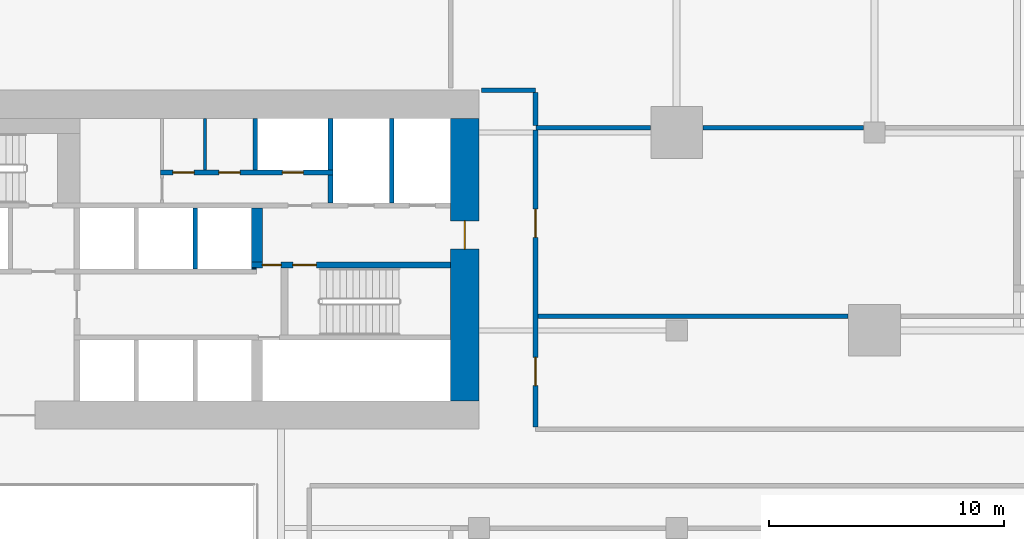
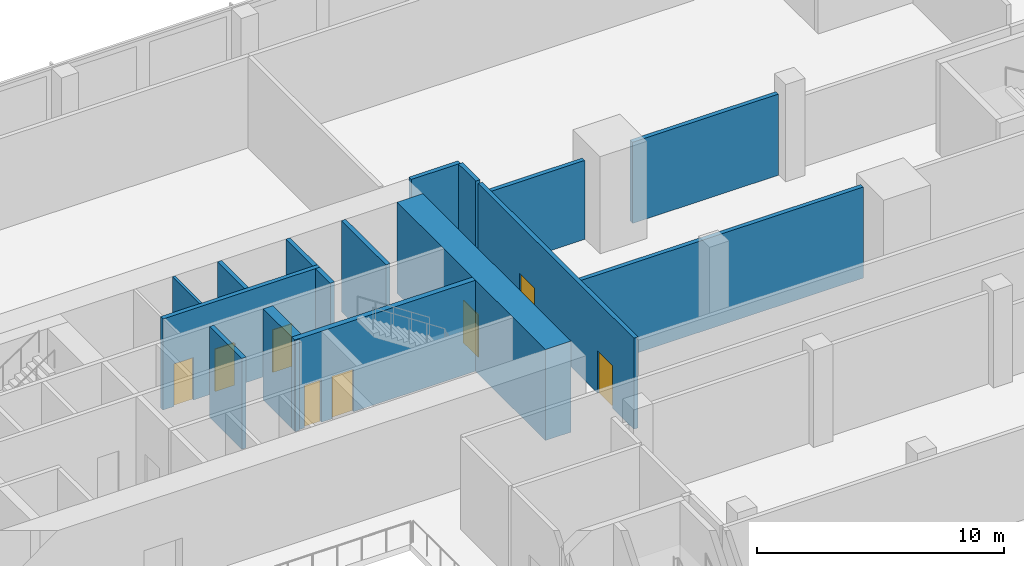
# One storey, part 31 of 39: 17 walls, 8 doors, 8 openings.
"""IFC4 building model written with IfcOpenShell, lengths in metres."""

from ifc_helpers import new_model, si_unit, direction, frame, frame_2d, origin, place, context, subcontext, project, spatial, rectangle, extrude, material, layer, layer_set, type_object, element, fill, save


model = new_model("IFC4")

# Units and contexts
model_context = context("Model", 3, precision=1e-05, world=origin(), true_north=direction((0.0, 1.0)))
body_context = subcontext(model_context, "Body", "Model", "MODEL_VIEW")
ifc_project = project(units=[si_unit("LENGTHUNIT", "METRE"), si_unit("AREAUNIT", "SQUARE_METRE"), si_unit("VOLUMEUNIT", "CUBIC_METRE"), si_unit("PLANEANGLEUNIT", "RADIAN"), si_unit("MASSUNIT", "GRAM", prefix="KILO")], contexts=[model_context])

# Site, building, storey
site_placement = place(None, origin())
site = spatial("IfcSite", under=ifc_project, at=site_placement, CompositionType="ELEMENT")
building_placement = place(site_placement, origin())
building = spatial("IfcBuilding", under=site, at=building_placement, Name="Saffron Gate Tower", CompositionType="ELEMENT")
storey_placement = place(building_placement, frame((0.0, 0.0, 14.39990234375)))
storey = spatial("IfcBuildingStorey", under=building, at=storey_placement, Name="L02", CompositionType="ELEMENT", Elevation=14.39990234375)

# Wall, opening, door
ifc_material_1 = material(Name="Concrete C70", Category="concrete")
ifc_layer_1 = layer(ifc_material_1, 1.199951171875)
ifc_layer_set_1 = layer_set([ifc_layer_1], Name="CW1 RC core wall 1200 C70")
wall_type_1 = type_object("IfcWallType", Name="CW1 RC core wall 1200 C70", PredefinedType="SOLIDWALL", material=ifc_layer_set_1)
wall_1_placement = place(storey_placement, frame((108.0, 62.39990234375, 0.0), z_axis=(0.0, 0.0, 1.0), x_axis=(0.0, 1.0, 0.0)))
wall_1 = element("IfcWall", 1, at=wall_1_placement, inside=storey, type_object=wall_type_1, Name="Wall CW1-L02-4", PredefinedType="SOLIDWALL", context=body_context, shape_type="SweptSolid", body=[
    extrude(rectangle(XDim=12.0, YDim=1.199951171875, at=frame_2d((6.0, 0.0))), origin(), (0.0, 0.0, 1.0), 4.5),
])
opening_1_placement = place(wall_1_placement, frame((6.449951171875, 0.0, 0.0)))
opening_1 = element("IfcOpeningElement", 2, at=opening_1_placement, cuts=wall_1, Name="Opening CR-08", PredefinedType="OPENING", context=body_context, shape_type="SweptSolid", body=[
    extrude(rectangle(XDim=1.199951171875, YDim=2.10009765625, at=frame_2d((0.60009765625, 1.050048828125))), frame((0.0, 0.60986328125, 0.0), z_axis=(0.0, -1.0, 0.0), x_axis=(1.0, 0.0, 0.0)), (0.0, 0.0, 1.0), 1.219970703125),
])
ifc_material_2 = material(Name="Steel fire door set", Category="steel")
door_type_1 = type_object("IfcDoorType", Name="CD7 Core entrance door 1200x2100 EI 120", OperationType="NOTDEFINED", PredefinedType="DOOR", material=ifc_material_2)
door_1_placement = place(opening_1_placement, origin())
door_1 = element("IfcDoor", 3, at=door_1_placement, inside=storey, type_object=door_type_1, Name="DOOR CR-08", OperationType="SINGLE_SWING_RIGHT", OverallHeight=2.10009765625, OverallWidth=1.199951171875, PredefinedType="DOOR", context=body_context, shape_type="SweptSolid", body=[
    extrude(rectangle(XDim=1.199951171875, YDim=2.10009765625, at=frame_2d((0.60009765625, 1.050048828125))), frame((0.0, 0.02490234375, 0.0), z_axis=(0.0, -1.0, 0.0), x_axis=(1.0, 0.0, 0.0)), (0.0, 0.0, 1.0), 0.050048828125),
])
fill(opening_1, door_1)

# Wall, openings, doors
ifc_layer_2 = layer(ifc_material_1, 0.25)
ifc_layer_set_2 = layer_set([ifc_layer_2], Name="CW2 RC core wall 250 C70")
wall_type_2 = type_object("IfcWallType", Name="CW2 RC core wall 250 C70", PredefinedType="SOLIDWALL", material=ifc_layer_set_2)
wall_2_placement = place(storey_placement, frame((98.949951171875, 68.175048828125, 0.0), z_axis=(0.0, 0.0, 1.0), x_axis=(1.0, 0.0, 0.0)))
wall_2 = element("IfcWall", 4, at=wall_2_placement, inside=storey, type_object=wall_type_2, Name="Wall CW2-L02-31", PredefinedType="SOLIDWALL", context=body_context, shape_type="SweptSolid", body=[
    extrude(rectangle(XDim=8.449951171875, YDim=0.25, at=frame_2d((4.22509765625, 0.0))), origin(), (0.0, 0.0, 1.0), 4.5),
])
opening_2_placement = place(wall_2_placement, frame((0.449951171875, 0.0, 0.0)))
opening_2 = element("IfcOpeningElement", 5, at=opening_2_placement, cuts=wall_2, Name="Opening CR-05", PredefinedType="OPENING", context=body_context, shape_type="SweptSolid", body=[
    extrude(rectangle(XDim=0.800048828125, YDim=2.10009765625, at=frame_2d((0.39990234375, 1.050048828125))), frame((0.0, 0.135009765625, 0.0), z_axis=(0.0, -1.0, 0.0), x_axis=(1.0, 0.0, 0.0)), (0.0, 0.0, 1.0), 0.27001953125),
])
opening_3_placement = place(wall_2_placement, frame((1.75, 0.0, 0.0)))
opening_3 = element("IfcOpeningElement", 6, at=opening_3_placement, cuts=wall_2, Name="Opening CR-16", PredefinedType="OPENING", context=body_context, shape_type="SweptSolid", body=[
    extrude(rectangle(XDim=1.0, YDim=2.10009765625, at=frame_2d((0.5, 1.050048828125))), frame((0.0, 0.135009765625, 0.0), z_axis=(0.0, -1.0, 0.0), x_axis=(1.0, 0.0, 0.0)), (0.0, 0.0, 1.0), 0.27001953125),
])
door_type_2 = type_object("IfcDoorType", Name="CD5 Stair door 1000x2100 EI 120", OperationType="NOTDEFINED", PredefinedType="DOOR", material=ifc_material_2)
door_2_placement = place(opening_3_placement, origin())
door_2 = element("IfcDoor", 7, at=door_2_placement, inside=storey, type_object=door_type_2, Name="DOOR CR-16", OperationType="SINGLE_SWING_RIGHT", OverallHeight=2.10009765625, OverallWidth=1.0, PredefinedType="DOOR", context=body_context, shape_type="SweptSolid", body=[
    extrude(rectangle(XDim=1.0, YDim=2.10009765625, at=frame_2d((0.5, 1.050048828125))), frame((0.0, 0.02490234375, 0.0), z_axis=(0.0, -1.0, 0.0), x_axis=(1.0, 0.0, 0.0)), (0.0, 0.0, 1.0), 0.050048828125),
])
fill(opening_3, door_2)
door_type_3 = type_object("IfcDoorType", Name="CD6 Lobby door 800x2100 EI 120", OperationType="NOTDEFINED", PredefinedType="DOOR", material=ifc_material_2)
door_3_placement = place(opening_2_placement, origin())
door_3 = element("IfcDoor", 8, at=door_3_placement, inside=storey, type_object=door_type_3, Name="DOOR CR-05", OperationType="SINGLE_SWING_LEFT", OverallHeight=2.10009765625, OverallWidth=0.800048828125, PredefinedType="DOOR", context=body_context, shape_type="SweptSolid", body=[
    extrude(rectangle(XDim=0.800048828125, YDim=2.10009765625, at=frame_2d((0.39990234375, 1.050048828125))), frame((0.0, 0.02490234375, 0.0), z_axis=(0.0, -1.0, 0.0), x_axis=(1.0, 0.0, 0.0)), (0.0, 0.0, 1.0), 0.050048828125),
])
fill(opening_2, door_3)

# Walls
ifc_layer_3 = layer(ifc_material_1, 0.199951171875)
ifc_layer_set_3 = layer_set([ifc_layer_3], Name="CW3 RC core wall 200 C70")
wall_type_3 = type_object("IfcWallType", Name="CW3 RC core wall 200 C70", PredefinedType="SOLIDWALL", material=ifc_layer_set_3)
wall_3_placement = place(storey_placement, frame((96.550048828125, 68.0, 0.0), z_axis=(0.0, 0.0, 1.0), x_axis=(0.0, 1.0, 0.0)))
element("IfcWall", 9, at=wall_3_placement, inside=storey, type_object=wall_type_3, Name="Wall CW3-L02-28", PredefinedType="SOLIDWALL", context=body_context, shape_type="SweptSolid", body=[
    extrude(rectangle(XDim=2.60009765625, YDim=0.199951171875, at=frame_2d((1.300048828125, 0.0))), origin(), (0.0, 0.0, 1.0), 4.5),
])
wall_4_placement = place(storey_placement, frame((102.300048828125, 70.800048828125, 0.0), z_axis=(0.0, 0.0, 1.0), x_axis=(0.0, 1.0, 0.0)))
element("IfcWall", 10, at=wall_4_placement, inside=storey, type_object=wall_type_3, Name="Wall CW3-L02-41", PredefinedType="SOLIDWALL", context=body_context, shape_type="SweptSolid", body=[
    extrude(rectangle(XDim=1.199951171875, YDim=0.199951171875, at=frame_2d((0.60009765625, 0.0))), origin(), (0.0, 0.0, 1.0), 4.5),
])
wall_5_placement = place(storey_placement, frame((104.89990234375, 70.800048828125, 0.0), z_axis=(0.0, 0.0, 1.0), x_axis=(0.0, 1.0, 0.0)))
element("IfcWall", 11, at=wall_5_placement, inside=storey, type_object=wall_type_3, Name="Wall CW3-L02-42", PredefinedType="SOLIDWALL", context=body_context, shape_type="SweptSolid", body=[
    extrude(rectangle(XDim=3.599853515625, YDim=0.199951171875, at=frame_2d((1.7998046875, 0.0))), origin(), (0.0, 0.0, 1.0), 4.5),
])

# Wall, openings, doors
wall_6_placement = place(storey_placement, frame((95.080078125, 72.10009765625, 0.0), z_axis=(0.0, 0.0, 1.0), x_axis=(1.0, 0.0, 0.0)))
wall_6 = element("IfcWall", 12, at=wall_6_placement, inside=storey, type_object=wall_type_3, Name="Wall CW3-L02-44", PredefinedType="SOLIDWALL", context=body_context, shape_type="SweptSolid", body=[
    extrude(rectangle(XDim=7.31982421875, YDim=0.199951171875, at=frame_2d((3.659912109375, 0.0))), origin(), (0.0, 0.0, 1.0), 4.5),
])
opening_4_placement = place(wall_6_placement, frame((0.52001953125, 0.0, 0.0)))
opening_4 = element("IfcOpeningElement", 13, at=opening_4_placement, cuts=wall_6, Name="Opening CR-50", PredefinedType="OPENING", context=body_context, shape_type="SweptSolid", body=[
    extrude(rectangle(XDim=0.89990234375, YDim=2.10009765625, at=frame_2d((0.449951171875, 1.050048828125))), frame((0.0, 0.10986328125, 0.0), z_axis=(0.0, -1.0, 0.0), x_axis=(1.0, 0.0, 0.0)), (0.0, 0.0, 1.0), 0.219970703125),
])
opening_5_placement = place(wall_6_placement, frame((2.47998046875, 0.0, 0.0)))
opening_5 = element("IfcOpeningElement", 14, at=opening_5_placement, cuts=wall_6, Name="Opening CR-53", PredefinedType="OPENING", context=body_context, shape_type="SweptSolid", body=[
    extrude(rectangle(XDim=0.89990234375, YDim=2.10009765625, at=frame_2d((0.449951171875, 1.050048828125))), frame((0.0, 0.10986328125, 0.0), z_axis=(0.0, -1.0, 0.0), x_axis=(1.0, 0.0, 0.0)), (0.0, 0.0, 1.0), 0.219970703125),
])
opening_6_placement = place(wall_6_placement, frame((5.169921875, 0.0, 0.0)))
opening_6 = element("IfcOpeningElement", 15, at=opening_6_placement, cuts=wall_6, Name="Opening CR-70", PredefinedType="OPENING", context=body_context, shape_type="SweptSolid", body=[
    extrude(rectangle(XDim=0.89990234375, YDim=2.10009765625, at=frame_2d((0.449951171875, 1.050048828125))), frame((0.0, 0.10986328125, 0.0), z_axis=(0.0, -1.0, 0.0), x_axis=(1.0, 0.0, 0.0)), (0.0, 0.0, 1.0), 0.219970703125),
])
door_type_4 = type_object("IfcDoorType", Name="CD2 Riser door 900x2100 EI 60", OperationType="NOTDEFINED", PredefinedType="DOOR", material=ifc_material_2)
door_4_placement = place(opening_6_placement, origin())
door_4 = element("IfcDoor", 16, at=door_4_placement, inside=storey, type_object=door_type_4, Name="DOOR CR-70", OperationType="SINGLE_SWING_LEFT", OverallHeight=2.10009765625, OverallWidth=0.89990234375, PredefinedType="DOOR", context=body_context, shape_type="SweptSolid", body=[
    extrude(rectangle(XDim=0.89990234375, YDim=2.10009765625, at=frame_2d((0.449951171875, 1.050048828125))), frame((0.0, 0.02490234375, 0.0), z_axis=(0.0, -1.0, 0.0), x_axis=(1.0, 0.0, 0.0)), (0.0, 0.0, 1.0), 0.050048828125),
])
fill(opening_6, door_4)
door_type_5 = type_object("IfcDoorType", Name="CD9 Room door 900x2100 EI 60", OperationType="NOTDEFINED", PredefinedType="DOOR", material=ifc_material_2)
door_5_placement = place(opening_4_placement, origin())
door_5 = element("IfcDoor", 17, at=door_5_placement, inside=storey, type_object=door_type_5, Name="DOOR CR-50", OperationType="SINGLE_SWING_LEFT", OverallHeight=2.10009765625, OverallWidth=0.89990234375, PredefinedType="DOOR", context=body_context, shape_type="SweptSolid", body=[
    extrude(rectangle(XDim=0.89990234375, YDim=2.10009765625, at=frame_2d((0.449951171875, 1.050048828125))), frame((0.0, 0.02490234375, 0.0), z_axis=(0.0, -1.0, 0.0), x_axis=(1.0, 0.0, 0.0)), (0.0, 0.0, 1.0), 0.050048828125),
])
fill(opening_4, door_5)
door_6_placement = place(opening_5_placement, origin())
door_6 = element("IfcDoor", 18, at=door_6_placement, inside=storey, type_object=door_type_5, Name="DOOR CR-53", OperationType="SINGLE_SWING_LEFT", OverallHeight=2.10009765625, OverallWidth=0.89990234375, PredefinedType="DOOR", context=body_context, shape_type="SweptSolid", body=[
    extrude(rectangle(XDim=0.89990234375, YDim=2.10009765625, at=frame_2d((0.449951171875, 1.050048828125))), frame((0.0, 0.02490234375, 0.0), z_axis=(0.0, -1.0, 0.0), x_axis=(1.0, 0.0, 0.0)), (0.0, 0.0, 1.0), 0.050048828125),
])
fill(opening_5, door_6)

# Walls
for number, where, z_axis, x_axis, name in (
    (19, (99.10009765625, 72.199951171875, 0.0), (0.0, 0.0, 1.0), (0.0, 1.0, 0.0), "Wall CW3-L02-51"),
    (20, (102.300048828125, 72.199951171875, 0.0), (0.0, 0.0, 1.0), (0.0, 1.0, 0.0), "Wall CW3-L02-52"),
):
    element("IfcWall", number, at=place(storey_placement, frame(where, z_axis=z_axis, x_axis=x_axis)), inside=storey, type_object=wall_type_3, Name=name, PredefinedType="SOLIDWALL", context=body_context, shape_type="SweptSolid", body=[
        extrude(rectangle(XDim=2.199951171875, YDim=0.199951171875, at=frame_2d((1.10009765625, 0.0))), origin(), (0.0, 0.0, 1.0), 4.5),
    ])
ifc_layer_4 = layer(ifc_material_1, 0.449951171875)
ifc_layer_set_4 = layer_set([ifc_layer_4], Name="CW4 RC core wall 450 C70")
wall_type_4 = type_object("IfcWallType", Name="CW4 RC core wall 450 C70", PredefinedType="SOLIDWALL", material=ifc_layer_set_4)
wall_7_placement = place(storey_placement, frame((99.175048828125, 68.300048828125, 0.0), z_axis=(0.0, 0.0, 1.0), x_axis=(0.0, 1.0, 0.0)))
element("IfcWall", 21, at=wall_7_placement, inside=storey, type_object=wall_type_4, Name="Wall CW4-L02-33", PredefinedType="SOLIDWALL", context=body_context, shape_type="SweptSolid", body=[
    extrude(rectangle(XDim=2.300048828125, YDim=0.449951171875, at=frame_2d((1.14990234375, 0.0))), origin(), (0.0, 0.0, 1.0), 4.5),
])
ifc_layer_5 = layer(ifc_material_1, 0.050048828125)
ifc_layer_set_5 = layer_set([ifc_layer_5], Name="CW6 RC core wall 50 C70")
wall_type_5 = type_object("IfcWallType", Name="CW6 RC core wall 50 C70", PredefinedType="SOLIDWALL", material=ifc_layer_set_5)
wall_8_placement = place(storey_placement, frame((98.949951171875, 68.02490234375, 0.0), z_axis=(0.0, 0.0, 1.0), x_axis=(1.0, 0.0, 0.0)))
element("IfcWall", 22, at=wall_8_placement, inside=storey, type_object=wall_type_5, Name="Wall CW6-L02-29", PredefinedType="SOLIDWALL", context=body_context, shape_type="SweptSolid", body=[
    extrude(rectangle(XDim=0.199951171875, YDim=0.050048828125, at=frame_2d((0.10009765625, 0.0))), origin(), (0.0, 0.0, 1.0), 4.5),
])
ifc_material_3 = material(Name="Gypsum board partition on steel studs", Category="steel")
ifc_layer_6 = layer(ifc_material_3, 0.1201171875)
ifc_layer_set_6 = layer_set([ifc_layer_6], Name="CW8 Core partition 120")
wall_type_6 = type_object("IfcWallType", Name="CW8 Core partition 120", PredefinedType="PARTITIONING", material=ifc_layer_set_6)
wall_9_placement = place(storey_placement, frame((96.9599609375, 72.199951171875, 0.0), z_axis=(0.0, 0.0, 1.0), x_axis=(0.0, 1.0, 0.0)))
element("IfcWall", 23, at=wall_9_placement, inside=storey, type_object=wall_type_6, Name="Wall CW8-L02-50", PredefinedType="PARTITIONING", context=body_context, shape_type="SweptSolid", body=[
    extrude(rectangle(XDim=2.199951171875, YDim=0.1201171875, at=frame_2d((1.10009765625, 0.0))), origin(), (0.0, 0.0, 1.0), 4.5),
])

# Wall, openings, doors
ifc_material_4 = material(Name="Clay brick masonry, rendered", Category="masonry")
ifc_layer_7 = layer(ifc_material_4, 0.199951171875)
ifc_layer_set_7 = layer_set([ifc_layer_7], Name="PW3 Corridor wall 200")
wall_type_7 = type_object("IfcWallType", Name="PW3 Corridor wall 200", PredefinedType="PARTITIONING", material=ifc_layer_set_7)
wall_10_placement = place(storey_placement, frame((111.0, 73.89990234375, 0.0), z_axis=(0.0, 0.0, 1.0), x_axis=(0.0, -1.0, 0.0)))
wall_10 = element("IfcWall", 24, at=wall_10_placement, inside=storey, type_object=wall_type_7, Name="Wall P2-69", PredefinedType="PARTITIONING", context=body_context, shape_type="SweptSolid", body=[
    extrude(rectangle(XDim=12.599853515625, YDim=0.199951171875, at=frame_2d((6.2998046875, 0.0))), origin(), (0.0, 0.0, 1.0), 4.5),
])
opening_7_placement = place(wall_10_placement, frame((3.35009765625, 0.0, 0.0)))
opening_7 = element("IfcOpeningElement", 25, at=opening_7_placement, cuts=wall_10, Name="Opening P2-15", PredefinedType="OPENING", context=body_context, shape_type="SweptSolid", body=[
    extrude(rectangle(XDim=1.199951171875, YDim=2.10009765625, at=frame_2d((0.60009765625, 1.050048828125))), frame((0.0, 0.10986328125, 0.0), z_axis=(0.0, -1.0, 0.0), x_axis=(1.0, 0.0, 0.0)), (0.0, 0.0, 1.0), 0.219970703125),
])
opening_8_placement = place(wall_10_placement, frame((9.64990234375, 0.0, 0.0)))
opening_8 = element("IfcOpeningElement", 26, at=opening_8_placement, cuts=wall_10, Name="Opening P2-14", PredefinedType="OPENING", context=body_context, shape_type="SweptSolid", body=[
    extrude(rectangle(XDim=1.199951171875, YDim=2.10009765625, at=frame_2d((0.60009765625, 1.050048828125))), frame((0.0, 0.10986328125, 0.0), z_axis=(0.0, -1.0, 0.0), x_axis=(1.0, 0.0, 0.0)), (0.0, 0.0, 1.0), 0.219970703125),
])
ifc_material_5 = material(Name="Timber door set", Category="wood")
door_type_6 = type_object("IfcDoorType", Name="HD1 Hall door 1200x2100", OperationType="NOTDEFINED", PredefinedType="DOOR", material=ifc_material_5)
door_7_placement = place(opening_7_placement, origin())
door_7 = element("IfcDoor", 27, at=door_7_placement, inside=storey, type_object=door_type_6, Name="Door P2-15", OperationType="SINGLE_SWING_LEFT", OverallHeight=2.10009765625, OverallWidth=1.199951171875, PredefinedType="DOOR", context=body_context, shape_type="SweptSolid", body=[
    extrude(rectangle(XDim=1.199951171875, YDim=2.10009765625, at=frame_2d((0.60009765625, 1.050048828125))), frame((0.0, 0.02490234375, 0.0), z_axis=(0.0, -1.0, 0.0), x_axis=(1.0, 0.0, 0.0)), (0.0, 0.0, 1.0), 0.050048828125),
])
fill(opening_7, door_7)
door_8_placement = place(opening_8_placement, origin())
door_8 = element("IfcDoor", 28, at=door_8_placement, inside=storey, type_object=door_type_6, Name="Door P2-14", OperationType="SINGLE_SWING_LEFT", OverallHeight=2.10009765625, OverallWidth=1.199951171875, PredefinedType="DOOR", context=body_context, shape_type="SweptSolid", body=[
    extrude(rectangle(XDim=1.199951171875, YDim=2.10009765625, at=frame_2d((0.60009765625, 1.050048828125))), frame((0.0, 0.02490234375, 0.0), z_axis=(0.0, -1.0, 0.0), x_axis=(1.0, 0.0, 0.0)), (0.0, 0.0, 1.0), 0.050048828125),
])
fill(opening_8, door_8)

# Walls
ifc_layer_8 = layer(ifc_material_4, 0.199951171875)
ifc_layer_set_8 = layer_set([ifc_layer_8], Name="PW5 Room wall 200")
wall_type_8 = type_object("IfcWallType", Name="PW5 Room wall 200", PredefinedType="PARTITIONING", material=ifc_layer_set_8)
wall_11_placement = place(storey_placement, frame((111.10009765625, 66.0, 0.0), z_axis=(0.0, 0.0, 1.0), x_axis=(1.0, 0.0, 0.0)))
element("IfcWall", 29, at=wall_11_placement, inside=storey, type_object=wall_type_8, Name="Wall P2-25", PredefinedType="PARTITIONING", context=body_context, shape_type="SweptSolid", body=[
    extrude(rectangle(XDim=13.179931640625, YDim=0.199951171875, at=frame_2d((6.58984375, 0.0))), origin(), (0.0, 0.0, 1.0), 4.5),
])
wall_12_placement = place(storey_placement, frame((111.02001953125, 74.0, 0.0), z_axis=(0.0, 0.0, 1.0), x_axis=(1.0, 0.0, 0.0)))
element("IfcWall", 30, at=wall_12_placement, inside=storey, type_object=wall_type_8, Name="Wall P2-28", PredefinedType="PARTITIONING", context=body_context, shape_type="SweptSolid", body=[
    extrude(rectangle(XDim=4.85986328125, YDim=0.199951171875, at=frame_2d((2.429931640625, 0.0))), origin(), (0.0, 0.0, 1.0), 3.900146484375),
])
wall_13_placement = place(storey_placement, frame((118.1201171875, 74.0, 0.0), z_axis=(0.0, 0.0, 1.0), x_axis=(1.0, 0.0, 0.0)))
element("IfcWall", 31, at=wall_13_placement, inside=storey, type_object=wall_type_8, Name="Wall P2-29", PredefinedType="PARTITIONING", context=body_context, shape_type="SweptSolid", body=[
    extrude(rectangle(XDim=6.809814453125, YDim=0.199951171875, at=frame_2d((3.40478515625, 0.0))), origin(), (0.0, 0.0, 1.0), 4.010009765625),
])
wall_14_placement = place(storey_placement, frame((108.699951171875, 75.60009765625, 0.0), z_axis=(0.0, 0.0, 1.0), x_axis=(1.0, 0.0, 0.0)))
element("IfcWall", 32, at=wall_14_placement, inside=storey, type_object=wall_type_8, Name="Wall P2-33", PredefinedType="PARTITIONING", context=body_context, shape_type="SweptSolid", body=[
    extrude(rectangle(XDim=2.300048828125, YDim=0.199951171875, at=frame_2d((1.14990234375, 0.0))), origin(), (0.0, 0.0, 1.0), 4.5),
])
wall_15_placement = place(storey_placement, frame((111.0, 75.5, 0.0), z_axis=(0.0, 0.0, 1.0), x_axis=(0.0, -1.0, 0.0)))
element("IfcWall", 33, at=wall_15_placement, inside=storey, type_object=wall_type_8, Name="Wall P2-70", PredefinedType="PARTITIONING", context=body_context, shape_type="SweptSolid", body=[
    extrude(rectangle(XDim=1.39990234375, YDim=0.199951171875, at=frame_2d((0.699951171875, 0.0))), origin(), (0.0, 0.0, 1.0), 4.5),
])

save(model, "model.ifc")
